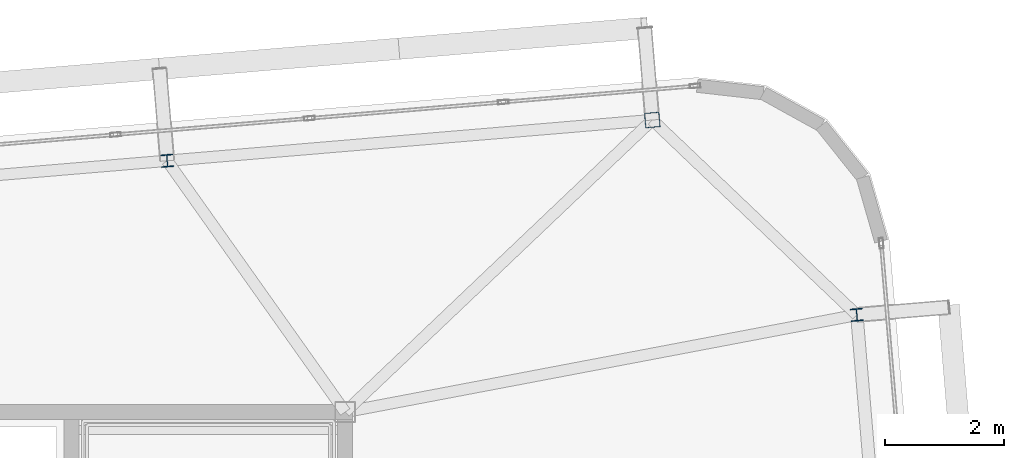
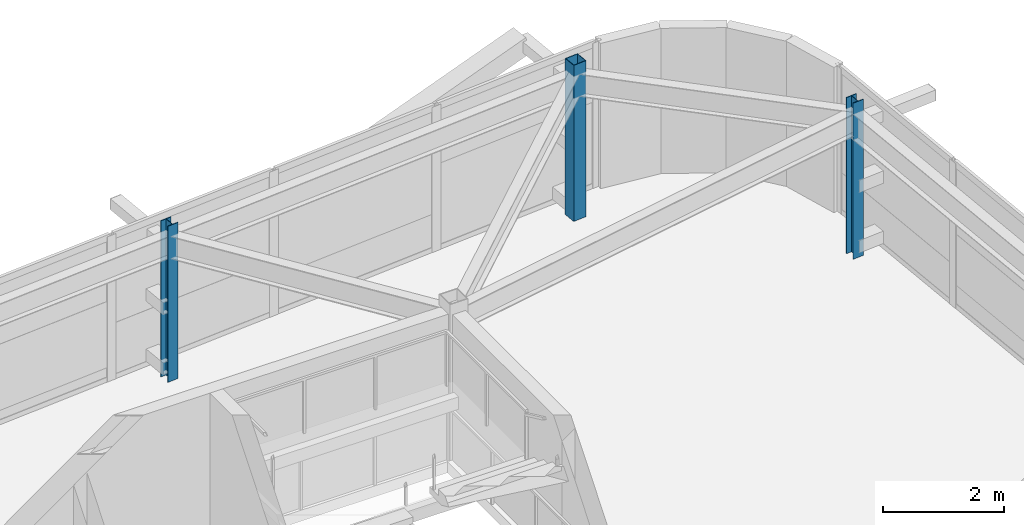
# One storey, part 6 of 46: 3 columns.
"""IFC4 building model written with IfcOpenShell, lengths in metres."""

from ifc_helpers import new_model, si_unit, direction, frame, origin, origin_2d, place, context, subcontext, project, spatial, hollow_rectangle, i_section, extrude, source, transform, mapped, material, material_profile, profile_set, type_object, element, save


model = new_model("IFC4")

# Units and contexts
model_context = context("Model", 3, precision=1e-05, world=origin(), true_north=direction((0.0, 1.0)))
body_context = subcontext(model_context, "Body", "Model", "MODEL_VIEW")
ifc_project = project(units=[si_unit("LENGTHUNIT", "METRE"), si_unit("AREAUNIT", "SQUARE_METRE"), si_unit("VOLUMEUNIT", "CUBIC_METRE"), si_unit("PLANEANGLEUNIT", "RADIAN"), si_unit("MASSUNIT", "GRAM", prefix="KILO")], contexts=[model_context])

# Site, building, storey
site_placement = place(None, origin())
site = spatial("IfcSite", under=ifc_project, at=site_placement, CompositionType="ELEMENT")
building_placement = place(site_placement, origin())
building = spatial("IfcBuilding", under=site, at=building_placement, Name="Taldren Reach Tower", CompositionType="ELEMENT")
storey_placement = place(building_placement, frame((0.0, 0.0, 185.14990234375)))
storey = spatial("IfcBuildingStorey", under=building, at=storey_placement, Name="L56", CompositionType="ELEMENT", Elevation=185.14990234375)

# Columns
ifc_material_1 = material(Name="Steel Gr 350 (C350L0)", Category="steel")
ifc_material_profile_1 = material_profile(ifc_material_1, hollow_rectangle(XDim=0.25, YDim=0.25, WallThickness=0.010009765625, at=origin_2d()), Name="250x250x10.0SHS")
ifc_profile_set_1 = profile_set([ifc_material_profile_1], Name="Steel Gr 350 (C350L0)")
column_type_1 = type_object("IfcColumnType", Name="COL-SHS250", PredefinedType="COLUMN", material=ifc_profile_set_1)
shared_shape_1 = source(origin(), body_context, "Body", "SweptSolid", [
    extrude(hollow_rectangle(XDim=0.25, YDim=0.25, WallThickness=0.010009765625, at=origin_2d()), origin(), (0.0, 0.0, 1.0), 3.150146484375),
])
column_placement = place(storey_placement, frame((56.160400390625, 36.906005859375, 0.0), z_axis=(0.0, 0.0, 1.0), x_axis=(0.99649285925, 0.083677843332, 0.0)))
element("IfcColumn", 1, at=column_placement, inside=storey, type_object=column_type_1, Name="Block B4 perimeter column N6 L56", PredefinedType="COLUMN", context=body_context, shape_type="MappedRepresentation", body=[
    mapped(shared_shape_1, transform((0.0, 0.0, 0.0), scale=1.0)),
])
ifc_material_2 = material(Name="Steel Gr 350 (350PLUS)", Category="steel")
ifc_material_profile_2 = material_profile(ifc_material_2, i_section(OverallWidth=0.205078125, OverallDepth=0.2099609375, WebThickness=0.00927734375, FlangeThickness=0.01416015625, at=origin_2d()), Name="200UC59.5")
ifc_profile_set_2 = profile_set([ifc_material_profile_2], Name="Steel Gr 350 (350PLUS)")
column_type_2 = type_object("IfcColumnType", Name="COL-UC200", PredefinedType="COLUMN", material=ifc_profile_set_2)
shared_shape_2 = source(origin(), body_context, "Body", "SweptSolid", [
    extrude(i_section(OverallWidth=0.205078125, OverallDepth=0.2099609375, WebThickness=0.00927734375, FlangeThickness=0.01416015625, at=origin_2d()), origin(), (0.0, 0.0, 1.0), 3.150146484375),
])
for number, where, z_axis, x_axis, name in (
    (2, (48.009033203125, 36.221435546875, 0.0), (0.0, 0.0, 1.0), (0.99649285925, 0.083677843332, 0.0), "Block B4 perimeter column N5 L56"),
    (3, (59.596435546875, 33.632080078125, 0.0), (0.0, 0.0, 1.0), (0.99649285925, 0.083677843332, 0.0), "Block B4 perimeter column E3 L56"),
):
    element("IfcColumn", number, at=place(storey_placement, frame(where, z_axis=z_axis, x_axis=x_axis)), inside=storey, type_object=column_type_2, Name=name, PredefinedType="COLUMN", context=body_context, shape_type="MappedRepresentation", body=[
        mapped(shared_shape_2, transform((0.0, 0.0, 0.0), scale=1.0)),
    ])

save(model, "model.ifc")
